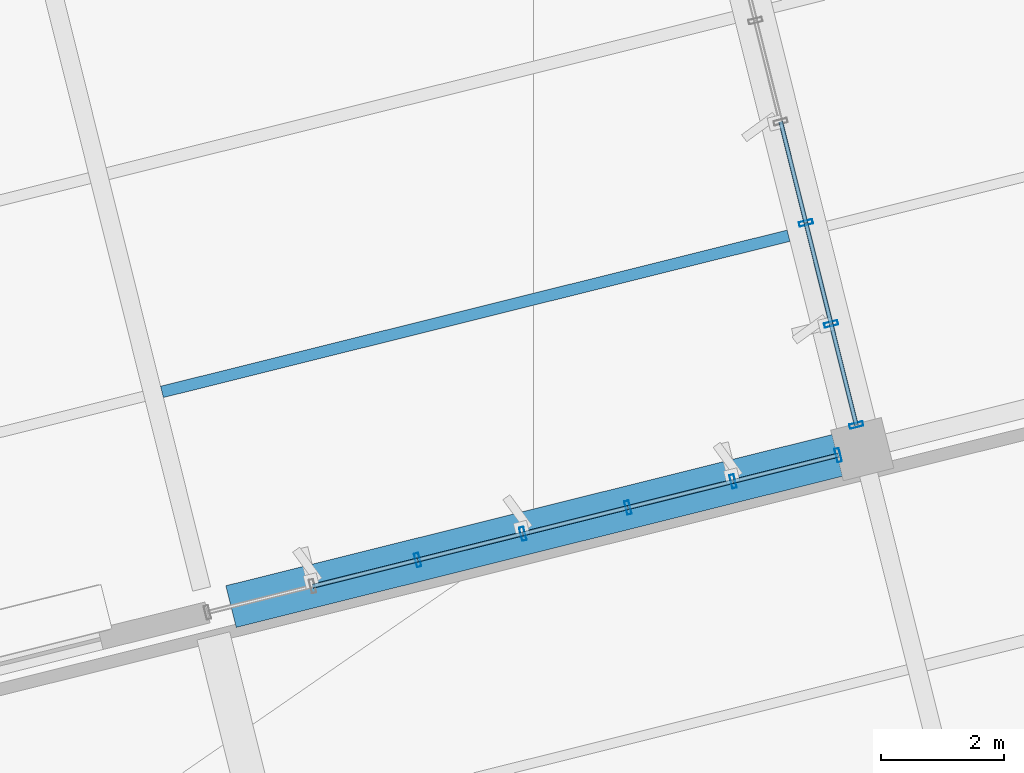
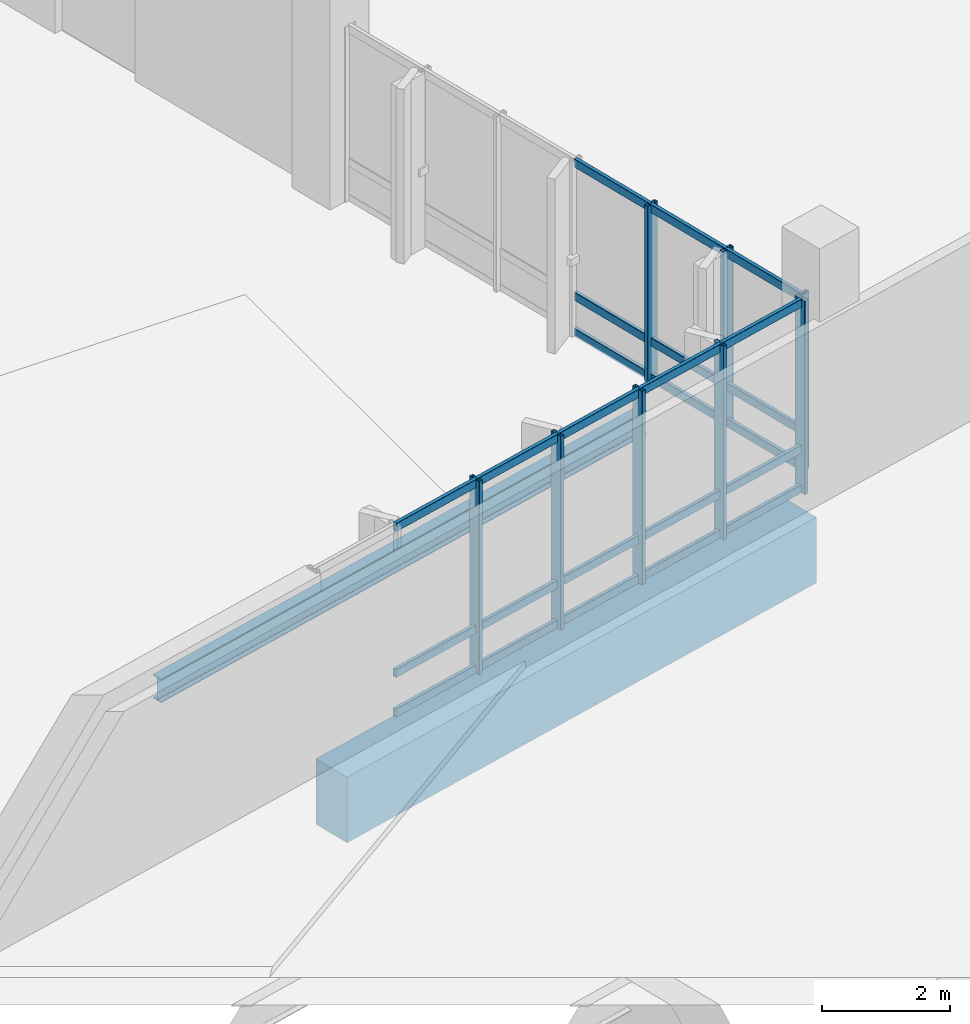
# One storey, part 72 of 137: 32 members, 2 beams, 2 elements without a shape of their own.
"""IFC4 building model written with IfcOpenShell, lengths in metres."""

from ifc_helpers import new_model, si_unit, direction, frame, origin, origin_2d, place, context, subcontext, project, spatial, rectangle, hollow_rectangle, i_section, extrude, material, layer, layer_set, material_profile, profile_set, type_object, element, aggregate, save


model = new_model("IFC4")

# Units and contexts
model_context = context("Model", 3, precision=1e-05, world=origin(), true_north=direction((0.0, 1.0)))
body_context = subcontext(model_context, "Body", "Model", "MODEL_VIEW")
ifc_project = project(units=[si_unit("LENGTHUNIT", "METRE"), si_unit("AREAUNIT", "SQUARE_METRE"), si_unit("VOLUMEUNIT", "CUBIC_METRE"), si_unit("PLANEANGLEUNIT", "RADIAN"), si_unit("MASSUNIT", "GRAM", prefix="KILO")], contexts=[model_context])

# Site, building, storey
site_placement = place(None, origin())
site = spatial("IfcSite", under=ifc_project, at=site_placement, CompositionType="ELEMENT")
building_placement = place(site_placement, origin())
building = spatial("IfcBuilding", under=site, at=building_placement, Name="Khorjan Park Terminus", CompositionType="ELEMENT")
storey_placement = place(building_placement, frame((0.0, 0.0, 11.4)))
storey = spatial("IfcBuildingStorey", under=building, at=storey_placement, Name="L02", CompositionType="ELEMENT", Elevation=11.4)

# Beams
ifc_material_1 = material(Name="Concrete C40/50", Category="concrete")
ifc_material_profile_1 = material_profile(ifc_material_1, rectangle(XDim=0.7, YDim=1.25, at=origin_2d()), Name="RC 700x1250")
ifc_profile_set_1 = profile_set([ifc_material_profile_1], Name="Concrete C40/50")
beam_type_1 = type_object("IfcBeamType", Name="BM-RC700x1250", PredefinedType="BEAM", material=ifc_profile_set_1)
beam_1_placement = place(storey_placement, frame((169.0731, 36.7765, -0.975), z_axis=(0.970297661932, 0.241914131974, 0.0), x_axis=(-0.241914131974, 0.970297661932, 0.0)))
element("IfcBeam", 1, at=beam_1_placement, inside=storey, type_object=beam_type_1, Name="Primary skew-grid floor girder GB-125 (L02)", PredefinedType="BEAM", context=body_context, shape_type="SweptSolid", body=[
    extrude(rectangle(XDim=0.7, YDim=1.25, at=origin_2d()), origin(), (0.0, 0.0, 1.0), 10.185),
])
ifc_material_2 = material(Name="Steel S355", Category="steel")
ifc_material_profile_2 = material_profile(ifc_material_2, i_section(OverallWidth=0.19, OverallDepth=0.45, WebThickness=0.0094, FlangeThickness=0.0146, FilletRadius=0.021, at=origin_2d()), Name="IPE 450")
ifc_profile_set_2 = profile_set([ifc_material_profile_2], Name="Steel S355")
beam_type_2 = type_object("IfcBeamType", Name="JS-IPE450", PredefinedType="JOIST", material=ifc_profile_set_2)
beam_2_placement = place(storey_placement, frame((167.9483, 40.275, -0.565), z_axis=(0.970296558074, 0.241918559415, 0.0), x_axis=(-0.241918559415, 0.970296558074, 0.0)))
element("IfcBeam", 2, at=beam_2_placement, inside=storey, type_object=beam_type_2, Name="Secondary composite floor joist SJ-45 (L02)", PredefinedType="JOIST", context=body_context, shape_type="SweptSolid", body=[
    extrude(i_section(OverallWidth=0.19, OverallDepth=0.45, WebThickness=0.0094, FlangeThickness=0.0146, FilletRadius=0.021, at=origin_2d()), origin(), (0.0, 0.0, 1.0), 10.525),
])

# Curtain wall, members
ifc_material_3 = material(Name="Anodized Bronze Aluminium", Category="aluminium")
ifc_layer = layer(ifc_material_3, 0.22)
ifc_layer_set = layer_set([ifc_layer], Name="Anodized Bronze Aluminium")
curtain_wall_type = type_object("IfcCurtainWallType", Name="CW-OPS-B", PredefinedType="NOTDEFINED", material=ifc_layer_set)
curtain_wall_1_placement = place(storey_placement, origin())
curtain_wall_1 = element("IfcCurtainWall", 3, at=curtain_wall_1_placement, inside=storey, type_object=curtain_wall_type, Name="Unitized curtain wall CW-B (CW-V5-NW1-L02-B03)", PredefinedType="NOTDEFINED")
ifc_material_profile_3 = material_profile(ifc_material_3, hollow_rectangle(XDim=0.075, YDim=0.225, WallThickness=0.005, InnerFilletRadius=0.005, OuterFilletRadius=0.01, at=origin_2d()), Name="ALM 75x225x5")
ifc_profile_set_3 = profile_set([ifc_material_profile_3], Name="Anodized Bronze Aluminium")
member_type_1 = type_object("IfcMemberType", Name="ML-ALM-225", PredefinedType="MULLION", material=ifc_profile_set_3)
member_1_placement = place(storey_placement, frame((178.4434, 43.0307, -0.035), z_axis=(0.0, 0.0, 1.0), x_axis=(0.241921344539, -0.970295863671, 0.0)))
member_1 = element("IfcMember", 4, at=member_1_placement, type_object=member_type_1, Name="Curtain-wall mullion ML-22 (CW-V5-NW1-L02-B03-4)", PredefinedType="MULLION", context=body_context, shape_type="SweptSolid", body=[
    extrude(hollow_rectangle(XDim=0.075, YDim=0.225, WallThickness=0.005, InnerFilletRadius=0.005, OuterFilletRadius=0.01, at=origin_2d()), origin(), (0.0, 0.0, 1.0), 3.375),
])
member_2_placement = place(storey_placement, frame((178.8542, 41.3828, -0.035), z_axis=(0.0, 0.0, 1.0), x_axis=(0.241921344539, -0.970295863671, 0.0)))
member_2 = element("IfcMember", 5, at=member_2_placement, type_object=member_type_1, Name="Curtain-wall mullion ML-22 (CW-V5-NW1-L02-B03-5)", PredefinedType="MULLION", context=body_context, shape_type="SweptSolid", body=[
    extrude(hollow_rectangle(XDim=0.075, YDim=0.225, WallThickness=0.005, InnerFilletRadius=0.005, OuterFilletRadius=0.01, at=origin_2d()), origin(), (0.0, 0.0, 1.0), 3.375),
])
member_3_placement = place(storey_placement, frame((179.2651, 39.735, -0.035), z_axis=(0.0, 0.0, 1.0), x_axis=(0.241921344539, -0.970295863671, 0.0)))
member_3 = element("IfcMember", 6, at=member_3_placement, type_object=member_type_1, Name="Curtain-wall mullion ML-22 (CW-V5-NW1-L02-B03-6)", PredefinedType="MULLION", context=body_context, shape_type="SweptSolid", body=[
    extrude(hollow_rectangle(XDim=0.075, YDim=0.225, WallThickness=0.005, InnerFilletRadius=0.005, OuterFilletRadius=0.01, at=origin_2d()), origin(), (0.0, 0.0, 1.0), 3.375),
])

curtain_wall_2_placement = place(storey_placement, origin())
curtain_wall_2 = element("IfcCurtainWall", 7, at=curtain_wall_2_placement, inside=storey, type_object=curtain_wall_type, Name="Unitized curtain wall CW-B (CW-V5-NW2-L02-B01)", PredefinedType="NOTDEFINED")
member_4_placement = place(storey_placement, frame((178.97, 39.244, -0.035), z_axis=(0.0, 0.0, 1.0), x_axis=(-0.970296650926, -0.241918187, 0.0)))
member_4 = element("IfcMember", 8, at=member_4_placement, type_object=member_type_1, Name="Curtain-wall mullion ML-22 (CW-V5-NW2-L02-B01-0)", PredefinedType="MULLION", context=body_context, shape_type="SweptSolid", body=[
    extrude(hollow_rectangle(XDim=0.075, YDim=0.225, WallThickness=0.005, InnerFilletRadius=0.005, OuterFilletRadius=0.01, at=origin_2d()), origin(), (0.0, 0.0, 1.0), 3.685),
])
member_5_placement = place(storey_placement, frame((177.2566, 38.8168, -0.035), z_axis=(0.0, 0.0, 1.0), x_axis=(-0.970296650926, -0.241918187, 0.0)))
member_5 = element("IfcMember", 9, at=member_5_placement, type_object=member_type_1, Name="Curtain-wall mullion ML-22 (CW-V5-NW2-L02-B01-1)", PredefinedType="MULLION", context=body_context, shape_type="SweptSolid", body=[
    extrude(hollow_rectangle(XDim=0.075, YDim=0.225, WallThickness=0.005, InnerFilletRadius=0.005, OuterFilletRadius=0.01, at=origin_2d()), origin(), (0.0, 0.0, 1.0), 3.685),
])
member_6_placement = place(storey_placement, frame((175.5433, 38.3896, -0.035), z_axis=(0.0, 0.0, 1.0), x_axis=(-0.970296650926, -0.241918187, 0.0)))
member_6 = element("IfcMember", 10, at=member_6_placement, type_object=member_type_1, Name="Curtain-wall mullion ML-22 (CW-V5-NW2-L02-B01-2)", PredefinedType="MULLION", context=body_context, shape_type="SweptSolid", body=[
    extrude(hollow_rectangle(XDim=0.075, YDim=0.225, WallThickness=0.005, InnerFilletRadius=0.005, OuterFilletRadius=0.01, at=origin_2d()), origin(), (0.0, 0.0, 1.0), 3.685),
])
member_7_placement = place(storey_placement, frame((173.8299, 37.9625, -0.035), z_axis=(0.0, 0.0, 1.0), x_axis=(-0.970296650926, -0.241918187, 0.0)))
member_7 = element("IfcMember", 11, at=member_7_placement, type_object=member_type_1, Name="Curtain-wall mullion ML-22 (CW-V5-NW2-L02-B01-3)", PredefinedType="MULLION", context=body_context, shape_type="SweptSolid", body=[
    extrude(hollow_rectangle(XDim=0.075, YDim=0.225, WallThickness=0.005, InnerFilletRadius=0.005, OuterFilletRadius=0.01, at=origin_2d()), origin(), (0.0, 0.0, 1.0), 3.685),
])
member_8_placement = place(storey_placement, frame((172.1165, 37.5353, -0.035), z_axis=(0.0, 0.0, 1.0), x_axis=(-0.970296650926, -0.241918187, 0.0)))
member_8 = element("IfcMember", 12, at=member_8_placement, type_object=member_type_1, Name="Curtain-wall mullion ML-22 (CW-V5-NW2-L02-B01-4)", PredefinedType="MULLION", context=body_context, shape_type="SweptSolid", body=[
    extrude(hollow_rectangle(XDim=0.075, YDim=0.225, WallThickness=0.005, InnerFilletRadius=0.005, OuterFilletRadius=0.01, at=origin_2d()), origin(), (0.0, 0.0, 1.0), 3.685),
])

# Member
ifc_material_profile_4 = material_profile(ifc_material_3, hollow_rectangle(XDim=0.07, YDim=0.16, WallThickness=0.004, InnerFilletRadius=0.004, OuterFilletRadius=0.008, at=origin_2d()), Name="ALT 70x160x4")
ifc_profile_set_4 = profile_set([ifc_material_profile_4], Name="Anodized Bronze Aluminium")
member_type_2 = type_object("IfcMemberType", Name="TR-ALT-160", PredefinedType="USERDEFINED", material=ifc_profile_set_4)
member_9_placement = place(storey_placement, frame((178.0326, 44.6785, 0.04), z_axis=(0.241898232719, -0.970301625788, 0.0), x_axis=(0.970301625788, 0.241898232719, 0.0)))
member_9 = element("IfcMember", 13, at=member_9_placement, type_object=member_type_2, Name="Curtain-wall transom TR-16 (CW-V5-NW1-L02-B03-3-1)", ObjectType="TRANSOM", PredefinedType="USERDEFINED", context=body_context, shape_type="SweptSolid", body=[
    extrude(hollow_rectangle(XDim=0.07, YDim=0.16, WallThickness=0.004, InnerFilletRadius=0.004, OuterFilletRadius=0.008, at=origin_2d()), origin(), (0.0, 0.0, 1.0), 1.6982),
])

member_10_placement = place(storey_placement, frame((178.0326, 44.6785, 0.727), z_axis=(0.241898232719, -0.970301625788, 0.0), x_axis=(0.970301625788, 0.241898232719, 0.0)))
member_10 = element("IfcMember", 14, at=member_10_placement, type_object=member_type_2, Name="Curtain-wall transom TR-16 (CW-V5-NW1-L02-B03-3-2)", ObjectType="TRANSOM", PredefinedType="USERDEFINED", context=body_context, shape_type="SweptSolid", body=[
    extrude(hollow_rectangle(XDim=0.07, YDim=0.16, WallThickness=0.004, InnerFilletRadius=0.004, OuterFilletRadius=0.008, at=origin_2d()), origin(), (0.0, 0.0, 1.0), 1.6982),
])

member_11_placement = place(storey_placement, frame((178.0326, 44.6785, 3.265), z_axis=(0.241898232719, -0.970301625788, 0.0), x_axis=(0.970301625788, 0.241898232719, 0.0)))
member_11 = element("IfcMember", 15, at=member_11_placement, type_object=member_type_2, Name="Curtain-wall transom TR-16 (CW-V5-NW1-L02-B03-3-3)", ObjectType="TRANSOM", PredefinedType="USERDEFINED", context=body_context, shape_type="SweptSolid", body=[
    extrude(hollow_rectangle(XDim=0.07, YDim=0.16, WallThickness=0.004, InnerFilletRadius=0.004, OuterFilletRadius=0.008, at=origin_2d()), origin(), (0.0, 0.0, 1.0), 1.6982),
])

member_12_placement = place(storey_placement, frame((178.4434, 43.0307, 0.04), z_axis=(0.241884412412, -0.970305071115, 0.0), x_axis=(0.970305071115, 0.241884412412, 0.0)))
member_12 = element("IfcMember", 16, at=member_12_placement, type_object=member_type_2, Name="Curtain-wall transom TR-16 (CW-V5-NW1-L02-B03-4-1)", ObjectType="TRANSOM", PredefinedType="USERDEFINED", context=body_context, shape_type="SweptSolid", body=[
    extrude(hollow_rectangle(XDim=0.07, YDim=0.16, WallThickness=0.004, InnerFilletRadius=0.004, OuterFilletRadius=0.008, at=origin_2d()), origin(), (0.0, 0.0, 1.0), 1.6983),
])

member_13_placement = place(storey_placement, frame((178.4434, 43.0307, 0.727), z_axis=(0.241884412412, -0.970305071115, 0.0), x_axis=(0.970305071115, 0.241884412412, 0.0)))
member_13 = element("IfcMember", 17, at=member_13_placement, type_object=member_type_2, Name="Curtain-wall transom TR-16 (CW-V5-NW1-L02-B03-4-2)", ObjectType="TRANSOM", PredefinedType="USERDEFINED", context=body_context, shape_type="SweptSolid", body=[
    extrude(hollow_rectangle(XDim=0.07, YDim=0.16, WallThickness=0.004, InnerFilletRadius=0.004, OuterFilletRadius=0.008, at=origin_2d()), origin(), (0.0, 0.0, 1.0), 1.6983),
])

member_14_placement = place(storey_placement, frame((178.4434, 43.0307, 3.265), z_axis=(0.241884412412, -0.970305071115, 0.0), x_axis=(0.970305071115, 0.241884412412, 0.0)))
member_14 = element("IfcMember", 18, at=member_14_placement, type_object=member_type_2, Name="Curtain-wall transom TR-16 (CW-V5-NW1-L02-B03-4-3)", ObjectType="TRANSOM", PredefinedType="USERDEFINED", context=body_context, shape_type="SweptSolid", body=[
    extrude(hollow_rectangle(XDim=0.07, YDim=0.16, WallThickness=0.004, InnerFilletRadius=0.004, OuterFilletRadius=0.008, at=origin_2d()), origin(), (0.0, 0.0, 1.0), 1.6983),
])

member_15_placement = place(storey_placement, frame((178.8542, 41.3828, 0.04), z_axis=(0.241953670584, -0.97028780333, 0.0), x_axis=(0.97028780333, 0.241953670584, 0.0)))
member_15 = element("IfcMember", 19, at=member_15_placement, type_object=member_type_2, Name="Curtain-wall transom TR-16 (CW-V5-NW1-L02-B03-5-1)", ObjectType="TRANSOM", PredefinedType="USERDEFINED", context=body_context, shape_type="SweptSolid", body=[
    extrude(hollow_rectangle(XDim=0.07, YDim=0.16, WallThickness=0.004, InnerFilletRadius=0.004, OuterFilletRadius=0.008, at=origin_2d()), origin(), (0.0, 0.0, 1.0), 1.6983),
])

member_16_placement = place(storey_placement, frame((178.8542, 41.3828, 0.727), z_axis=(0.241953670584, -0.97028780333, 0.0), x_axis=(0.97028780333, 0.241953670584, 0.0)))
member_16 = element("IfcMember", 20, at=member_16_placement, type_object=member_type_2, Name="Curtain-wall transom TR-16 (CW-V5-NW1-L02-B03-5-2)", ObjectType="TRANSOM", PredefinedType="USERDEFINED", context=body_context, shape_type="SweptSolid", body=[
    extrude(hollow_rectangle(XDim=0.07, YDim=0.16, WallThickness=0.004, InnerFilletRadius=0.004, OuterFilletRadius=0.008, at=origin_2d()), origin(), (0.0, 0.0, 1.0), 1.6983),
])

member_17_placement = place(storey_placement, frame((178.8542, 41.3828, 3.265), z_axis=(0.241953670584, -0.97028780333, 0.0), x_axis=(0.97028780333, 0.241953670584, 0.0)))
member_17 = element("IfcMember", 21, at=member_17_placement, type_object=member_type_2, Name="Curtain-wall transom TR-16 (CW-V5-NW1-L02-B03-5-3)", ObjectType="TRANSOM", PredefinedType="USERDEFINED", context=body_context, shape_type="SweptSolid", body=[
    extrude(hollow_rectangle(XDim=0.07, YDim=0.16, WallThickness=0.004, InnerFilletRadius=0.004, OuterFilletRadius=0.008, at=origin_2d()), origin(), (0.0, 0.0, 1.0), 1.6983),
])

aggregate(curtain_wall_1, [member_1, member_2, member_3, member_9, member_10, member_11, member_12, member_13, member_14, member_15, member_16, member_17])

member_18_placement = place(storey_placement, frame((178.97, 39.244, 0.04), z_axis=(-0.970295540183, -0.241922641979, 0.0), x_axis=(0.241922641979, -0.970295540183, 0.0)))
member_18 = element("IfcMember", 22, at=member_18_placement, type_object=member_type_2, Name="Curtain-wall transom TR-16 (CW-V5-NW2-L02-B01-0-1)", ObjectType="TRANSOM", PredefinedType="USERDEFINED", context=body_context, shape_type="SweptSolid", body=[
    extrude(hollow_rectangle(XDim=0.07, YDim=0.16, WallThickness=0.004, InnerFilletRadius=0.004, OuterFilletRadius=0.008, at=origin_2d()), origin(), (0.0, 0.0, 1.0), 1.7659),
])

member_19_placement = place(storey_placement, frame((178.97, 39.244, 0.795), z_axis=(-0.970295540183, -0.241922641979, 0.0), x_axis=(0.241922641979, -0.970295540183, 0.0)))
member_19 = element("IfcMember", 23, at=member_19_placement, type_object=member_type_2, Name="Curtain-wall transom TR-16 (CW-V5-NW2-L02-B01-0-2)", ObjectType="TRANSOM", PredefinedType="USERDEFINED", context=body_context, shape_type="SweptSolid", body=[
    extrude(hollow_rectangle(XDim=0.07, YDim=0.16, WallThickness=0.004, InnerFilletRadius=0.004, OuterFilletRadius=0.008, at=origin_2d()), origin(), (0.0, 0.0, 1.0), 1.7659),
])

member_20_placement = place(storey_placement, frame((178.97, 39.244, 3.575), z_axis=(-0.970295540183, -0.241922641979, 0.0), x_axis=(0.241922641979, -0.970295540183, 0.0)))
member_20 = element("IfcMember", 24, at=member_20_placement, type_object=member_type_2, Name="Curtain-wall transom TR-16 (CW-V5-NW2-L02-B01-0-3)", ObjectType="TRANSOM", PredefinedType="USERDEFINED", context=body_context, shape_type="SweptSolid", body=[
    extrude(hollow_rectangle(XDim=0.07, YDim=0.16, WallThickness=0.004, InnerFilletRadius=0.004, OuterFilletRadius=0.008, at=origin_2d()), origin(), (0.0, 0.0, 1.0), 1.7659),
])

member_21_placement = place(storey_placement, frame((177.2566, 38.8168, 0.04), z_axis=(-0.97029222556, -0.241935935773, 0.0), x_axis=(0.241935935773, -0.97029222556, 0.0)))
member_21 = element("IfcMember", 25, at=member_21_placement, type_object=member_type_2, Name="Curtain-wall transom TR-16 (CW-V5-NW2-L02-B01-1-1)", ObjectType="TRANSOM", PredefinedType="USERDEFINED", context=body_context, shape_type="SweptSolid", body=[
    extrude(hollow_rectangle(XDim=0.07, YDim=0.16, WallThickness=0.004, InnerFilletRadius=0.004, OuterFilletRadius=0.008, at=origin_2d()), origin(), (0.0, 0.0, 1.0), 1.7658),
])

member_22_placement = place(storey_placement, frame((177.2566, 38.8168, 0.795), z_axis=(-0.97029222556, -0.241935935773, 0.0), x_axis=(0.241935935773, -0.97029222556, 0.0)))
member_22 = element("IfcMember", 26, at=member_22_placement, type_object=member_type_2, Name="Curtain-wall transom TR-16 (CW-V5-NW2-L02-B01-1-2)", ObjectType="TRANSOM", PredefinedType="USERDEFINED", context=body_context, shape_type="SweptSolid", body=[
    extrude(hollow_rectangle(XDim=0.07, YDim=0.16, WallThickness=0.004, InnerFilletRadius=0.004, OuterFilletRadius=0.008, at=origin_2d()), origin(), (0.0, 0.0, 1.0), 1.7658),
])

member_23_placement = place(storey_placement, frame((177.2566, 38.8168, 3.575), z_axis=(-0.97029222556, -0.241935935773, 0.0), x_axis=(0.241935935773, -0.97029222556, 0.0)))
member_23 = element("IfcMember", 27, at=member_23_placement, type_object=member_type_2, Name="Curtain-wall transom TR-16 (CW-V5-NW2-L02-B01-1-3)", ObjectType="TRANSOM", PredefinedType="USERDEFINED", context=body_context, shape_type="SweptSolid", body=[
    extrude(hollow_rectangle(XDim=0.07, YDim=0.16, WallThickness=0.004, InnerFilletRadius=0.004, OuterFilletRadius=0.008, at=origin_2d()), origin(), (0.0, 0.0, 1.0), 1.7658),
])

member_24_placement = place(storey_placement, frame((175.5433, 38.3896, 0.04), z_axis=(-0.970308831986, -0.241869325401, 0.0), x_axis=(0.241869325401, -0.970308831986, 0.0)))
member_24 = element("IfcMember", 28, at=member_24_placement, type_object=member_type_2, Name="Curtain-wall transom TR-16 (CW-V5-NW2-L02-B01-2-1)", ObjectType="TRANSOM", PredefinedType="USERDEFINED", context=body_context, shape_type="SweptSolid", body=[
    extrude(hollow_rectangle(XDim=0.07, YDim=0.16, WallThickness=0.004, InnerFilletRadius=0.004, OuterFilletRadius=0.008, at=origin_2d()), origin(), (0.0, 0.0, 1.0), 1.7658),
])

member_25_placement = place(storey_placement, frame((175.5433, 38.3896, 0.795), z_axis=(-0.970308831986, -0.241869325401, 0.0), x_axis=(0.241869325401, -0.970308831986, 0.0)))
member_25 = element("IfcMember", 29, at=member_25_placement, type_object=member_type_2, Name="Curtain-wall transom TR-16 (CW-V5-NW2-L02-B01-2-2)", ObjectType="TRANSOM", PredefinedType="USERDEFINED", context=body_context, shape_type="SweptSolid", body=[
    extrude(hollow_rectangle(XDim=0.07, YDim=0.16, WallThickness=0.004, InnerFilletRadius=0.004, OuterFilletRadius=0.008, at=origin_2d()), origin(), (0.0, 0.0, 1.0), 1.7658),
])

member_26_placement = place(storey_placement, frame((175.5433, 38.3896, 3.575), z_axis=(-0.970308831986, -0.241869325401, 0.0), x_axis=(0.241869325401, -0.970308831986, 0.0)))
member_26 = element("IfcMember", 30, at=member_26_placement, type_object=member_type_2, Name="Curtain-wall transom TR-16 (CW-V5-NW2-L02-B01-2-3)", ObjectType="TRANSOM", PredefinedType="USERDEFINED", context=body_context, shape_type="SweptSolid", body=[
    extrude(hollow_rectangle(XDim=0.07, YDim=0.16, WallThickness=0.004, InnerFilletRadius=0.004, OuterFilletRadius=0.008, at=origin_2d()), origin(), (0.0, 0.0, 1.0), 1.7658),
])

member_27_placement = place(storey_placement, frame((173.8299, 37.9625, 0.04), z_axis=(-0.970295540183, -0.241922641979, 0.0), x_axis=(0.241922641979, -0.970295540183, 0.0)))
member_27 = element("IfcMember", 31, at=member_27_placement, type_object=member_type_2, Name="Curtain-wall transom TR-16 (CW-V5-NW2-L02-B01-3-1)", ObjectType="TRANSOM", PredefinedType="USERDEFINED", context=body_context, shape_type="SweptSolid", body=[
    extrude(hollow_rectangle(XDim=0.07, YDim=0.16, WallThickness=0.004, InnerFilletRadius=0.004, OuterFilletRadius=0.008, at=origin_2d()), origin(), (0.0, 0.0, 1.0), 1.7659),
])

member_28_placement = place(storey_placement, frame((173.8299, 37.9625, 0.795), z_axis=(-0.970295540183, -0.241922641979, 0.0), x_axis=(0.241922641979, -0.970295540183, 0.0)))
member_28 = element("IfcMember", 32, at=member_28_placement, type_object=member_type_2, Name="Curtain-wall transom TR-16 (CW-V5-NW2-L02-B01-3-2)", ObjectType="TRANSOM", PredefinedType="USERDEFINED", context=body_context, shape_type="SweptSolid", body=[
    extrude(hollow_rectangle(XDim=0.07, YDim=0.16, WallThickness=0.004, InnerFilletRadius=0.004, OuterFilletRadius=0.008, at=origin_2d()), origin(), (0.0, 0.0, 1.0), 1.7659),
])

member_29_placement = place(storey_placement, frame((173.8299, 37.9625, 3.575), z_axis=(-0.970295540183, -0.241922641979, 0.0), x_axis=(0.241922641979, -0.970295540183, 0.0)))
member_29 = element("IfcMember", 33, at=member_29_placement, type_object=member_type_2, Name="Curtain-wall transom TR-16 (CW-V5-NW2-L02-B01-3-3)", ObjectType="TRANSOM", PredefinedType="USERDEFINED", context=body_context, shape_type="SweptSolid", body=[
    extrude(hollow_rectangle(XDim=0.07, YDim=0.16, WallThickness=0.004, InnerFilletRadius=0.004, OuterFilletRadius=0.008, at=origin_2d()), origin(), (0.0, 0.0, 1.0), 1.7659),
])

member_30_placement = place(storey_placement, frame((172.1165, 37.5353, 0.04), z_axis=(-0.97029222556, -0.241935935773, 0.0), x_axis=(0.241935935773, -0.97029222556, 0.0)))
member_30 = element("IfcMember", 34, at=member_30_placement, type_object=member_type_2, Name="Curtain-wall transom TR-16 (CW-V5-NW2-L02-B01-4-1)", ObjectType="TRANSOM", PredefinedType="USERDEFINED", context=body_context, shape_type="SweptSolid", body=[
    extrude(hollow_rectangle(XDim=0.07, YDim=0.16, WallThickness=0.004, InnerFilletRadius=0.004, OuterFilletRadius=0.008, at=origin_2d()), origin(), (0.0, 0.0, 1.0), 1.7658),
])

member_31_placement = place(storey_placement, frame((172.1165, 37.5353, 0.795), z_axis=(-0.97029222556, -0.241935935773, 0.0), x_axis=(0.241935935773, -0.97029222556, 0.0)))
member_31 = element("IfcMember", 35, at=member_31_placement, type_object=member_type_2, Name="Curtain-wall transom TR-16 (CW-V5-NW2-L02-B01-4-2)", ObjectType="TRANSOM", PredefinedType="USERDEFINED", context=body_context, shape_type="SweptSolid", body=[
    extrude(hollow_rectangle(XDim=0.07, YDim=0.16, WallThickness=0.004, InnerFilletRadius=0.004, OuterFilletRadius=0.008, at=origin_2d()), origin(), (0.0, 0.0, 1.0), 1.7658),
])

member_32_placement = place(storey_placement, frame((172.1165, 37.5353, 3.575), z_axis=(-0.97029222556, -0.241935935773, 0.0), x_axis=(0.241935935773, -0.97029222556, 0.0)))
member_32 = element("IfcMember", 36, at=member_32_placement, type_object=member_type_2, Name="Curtain-wall transom TR-16 (CW-V5-NW2-L02-B01-4-3)", ObjectType="TRANSOM", PredefinedType="USERDEFINED", context=body_context, shape_type="SweptSolid", body=[
    extrude(hollow_rectangle(XDim=0.07, YDim=0.16, WallThickness=0.004, InnerFilletRadius=0.004, OuterFilletRadius=0.008, at=origin_2d()), origin(), (0.0, 0.0, 1.0), 1.7658),
])

aggregate(curtain_wall_2, [member_4, member_5, member_6, member_7, member_8, member_18, member_19, member_20, member_21, member_22, member_23, member_24, member_25, member_26, member_27, member_28, member_29, member_30, member_31, member_32])

save(model, "model.ifc")
